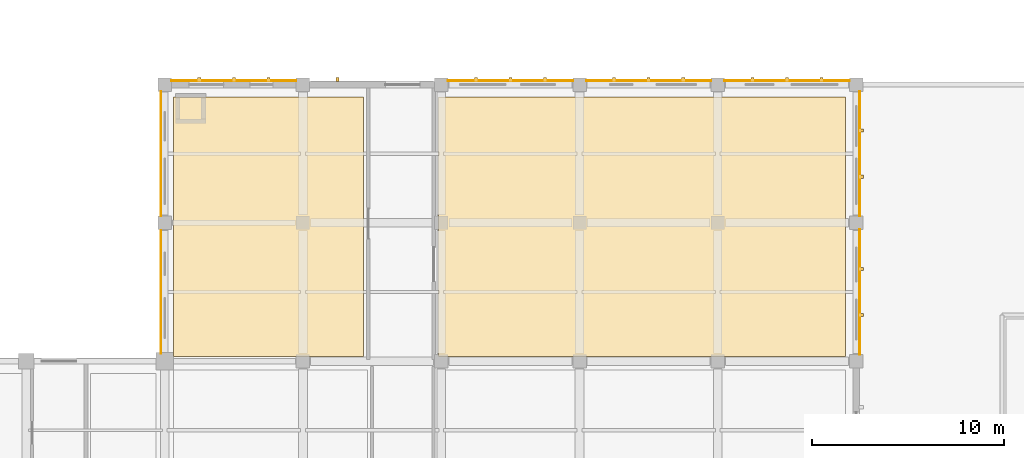
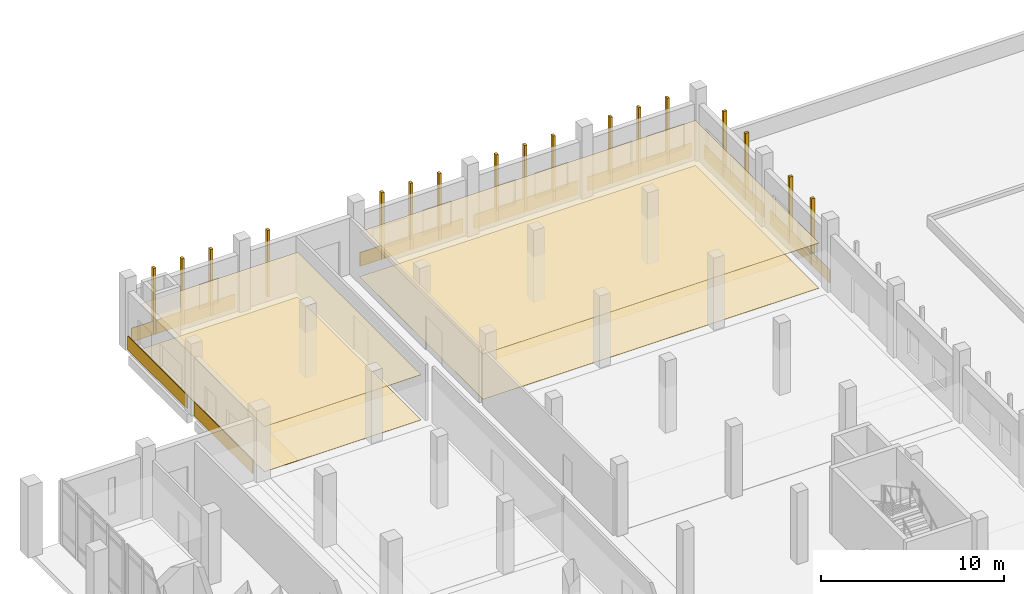
# One storey, part 53 of 59: 17 shading devices, 12 coverings.
"""IFC4 building model written with IfcOpenShell, lengths in metres."""

from ifc_helpers import new_model, si_unit, direction, frame, origin, origin_2d, place, context, subcontext, project, spatial, polyline, rectangle, outline, extrude, material, layer, layer_set, type_object, element, save


model = new_model("IFC4")

# Units and contexts
model_context = context("Model", 3, precision=1e-05, world=origin(), true_north=direction((0.0, 1.0)))
body_context = subcontext(model_context, "Body", "Model", "MODEL_VIEW")
ifc_project = project(units=[si_unit("LENGTHUNIT", "METRE"), si_unit("AREAUNIT", "SQUARE_METRE"), si_unit("VOLUMEUNIT", "CUBIC_METRE"), si_unit("PLANEANGLEUNIT", "RADIAN"), si_unit("MASSUNIT", "GRAM", prefix="KILO")], contexts=[model_context])

# Site, building, storey
site_placement = place(None, origin())
site = spatial("IfcSite", under=ifc_project, at=site_placement, CompositionType="ELEMENT")
building_placement = place(site_placement, origin())
building = spatial("IfcBuilding", under=site, at=building_placement, Name="Valkovuoma Quantum and Materials Research Institute", CompositionType="ELEMENT")
storey_placement = place(building_placement, origin())
storey = spatial("IfcBuildingStorey", under=building, at=storey_placement, Name="L00", CompositionType="ELEMENT", Elevation=0.0)

# Coverings
ifc_material_1 = material(Name="Cleanable acoustic mineral-fibre suspended ceiling", Category="masonry")
ifc_layer_1 = layer(ifc_material_1, 0.02490234375)
ifc_layer_set_1 = layer_set([ifc_layer_1], Name="Cleanable acoustic mineral-fibre suspended ceiling")
covering_type_1 = type_object("IfcCoveringType", Name="Cov-CEIL-01", PredefinedType="CEILING", material=ifc_layer_set_1)
covering_1_placement = place(storey_placement, frame((0.0, 0.0, 3.0)))
element("IfcCovering", 1, at=covering_1_placement, inside=storey, type_object=covering_type_1, Name="L00 acoustic ceiling 0015", PredefinedType="CEILING", context=body_context, shape_type="SweptSolid", body=[
    extrude(outline(polyline([(14.85009765625, 93.85009765625), (24.75, 93.85009765625), (24.75, 107.35009765625), (14.85009765625, 107.35009765625), (14.85009765625, 93.85009765625)])), origin(), (0.0, 0.0, 1.0), 0.02490234375),
])
covering_2_placement = place(storey_placement, frame((0.0, 0.0, 3.0)))
element("IfcCovering", 2, at=covering_2_placement, inside=storey, type_object=covering_type_1, Name="L00 acoustic ceiling 0017", PredefinedType="CEILING", context=body_context, shape_type="SweptSolid", body=[
    extrude(outline(polyline([(28.64990234375, 93.85009765625), (49.85009765625, 93.85009765625), (49.85009765625, 107.35009765625), (28.64990234375, 107.35009765625), (28.64990234375, 93.85009765625)])), origin(), (0.0, 0.0, 1.0), 0.02490234375),
])
ifc_material_2 = material(Name="Seamless dissipative laboratory resin flooring", Category="masonry")
ifc_layer_2 = layer(ifc_material_2, 0.014892578125)
ifc_layer_set_2 = layer_set([ifc_layer_2], Name="Seamless dissipative laboratory resin flooring")
covering_type_2 = type_object("IfcCoveringType", Name="Cov-FLOR-01", PredefinedType="FLOORING", material=ifc_layer_set_2)
covering_3_placement = place(storey_placement, origin())
element("IfcCovering", 3, at=covering_3_placement, inside=storey, type_object=covering_type_2, Name="L00 resin flooring 0015", PredefinedType="FLOORING", context=body_context, shape_type="SweptSolid", body=[
    extrude(outline(polyline([(14.85009765625, 93.85009765625), (24.75, 93.85009765625), (24.75, 107.35009765625), (14.85009765625, 107.35009765625), (14.85009765625, 93.85009765625)])), origin(), (0.0, 0.0, 1.0), 0.014892578125),
])
covering_4_placement = place(storey_placement, origin())
element("IfcCovering", 4, at=covering_4_placement, inside=storey, type_object=covering_type_2, Name="L00 resin flooring 0017", PredefinedType="FLOORING", context=body_context, shape_type="SweptSolid", body=[
    extrude(outline(polyline([(28.64990234375, 93.85009765625), (49.85009765625, 93.85009765625), (49.85009765625, 107.35009765625), (28.64990234375, 107.35009765625), (28.64990234375, 93.85009765625)])), origin(), (0.0, 0.0, 1.0), 0.014892578125),
])
ifc_material_3 = material(Name="Thermally modified Nordic pine timber rainscreen cladding", Category="wood")
ifc_layer_3 = layer(ifc_material_3, 0.044921875)
ifc_layer_set_3 = layer_set([ifc_layer_3], Name="Thermally modified Nordic pine timber rainscreen cladding")
covering_type_3 = type_object("IfcCoveringType", Name="Cov-TIMB-01", PredefinedType="CLADDING", material=ifc_layer_set_3)
for number, where, z_axis, x_axis, name in (
    (5, (18.0, 108.18994140625, 0.02001953125), (0.0, 0.0, 1.0), (1.0, 0.0, 0.0), "L00 Nordic pine spandrel N-001"),
    (6, (32.39990234375, 108.18994140625, 0.02001953125), (0.0, 0.0, 1.0), (1.0, 0.0, 0.0), "L00 Nordic pine spandrel N-002"),
    (7, (39.60009765625, 108.18994140625, 0.02001953125), (0.0, 0.0, 1.0), (1.0, 0.0, 0.0), "L00 Nordic pine spandrel N-003"),
    (8, (46.800048828125, 108.18994140625, 0.02001953125), (0.0, 0.0, 1.0), (1.0, 0.0, 0.0), "L00 Nordic pine spandrel N-004"),
):
    element("IfcCovering", number, at=place(storey_placement, frame(where, z_axis=z_axis, x_axis=x_axis)), inside=storey, type_object=covering_type_3, Name=name, PredefinedType="CLADDING", context=body_context, shape_type="SweptSolid", body=[
        extrude(rectangle(XDim=6.52001953125, YDim=0.044921875, at=origin_2d()), origin(), (0.0, 0.0, 1.0), 0.919921875),
    ])
for number, where, z_axis, x_axis, name in (
    (9, (50.590087890625, 97.199951171875, 0.02001953125), (0.0, 0.0, 1.0), (1.0, 0.0, 0.0), "L00 Nordic pine spandrel E-008"),
    (10, (50.590087890625, 104.39990234375, 0.02001953125), (0.0, 0.0, 1.0), (1.0, 0.0, 0.0), "L00 Nordic pine spandrel E-009"),
):
    element("IfcCovering", number, at=place(storey_placement, frame(where, z_axis=z_axis, x_axis=x_axis)), inside=storey, type_object=covering_type_3, Name=name, PredefinedType="CLADDING", context=body_context, shape_type="SweptSolid", body=[
        extrude(rectangle(XDim=0.044921875, YDim=6.52001953125, at=origin_2d()), origin(), (0.0, 0.0, 1.0), 0.919921875),
    ])
covering_5_placement = place(storey_placement, frame((14.2099609375, 97.199951171875, 0.02001953125), z_axis=(0.0, 0.0, 1.0), x_axis=(1.0, 0.0, 0.0)))
element("IfcCovering", 11, at=covering_5_placement, inside=storey, type_object=covering_type_3, Name="L00 Nordic pine spandrel W-010", PredefinedType="CLADDING", context=body_context, shape_type="SweptSolid", body=[
    extrude(rectangle(XDim=0.044921875, YDim=6.419921875, at=origin_2d()), origin(), (0.0, 0.0, 1.0), 0.919921875),
])
covering_6_placement = place(storey_placement, frame((14.2099609375, 104.39990234375, 0.02001953125), z_axis=(0.0, 0.0, 1.0), x_axis=(1.0, 0.0, 0.0)))
element("IfcCovering", 12, at=covering_6_placement, inside=storey, type_object=covering_type_3, Name="L00 Nordic pine spandrel W-011", PredefinedType="CLADDING", context=body_context, shape_type="SweptSolid", body=[
    extrude(rectangle(XDim=0.044921875, YDim=6.52001953125, at=origin_2d()), origin(), (0.0, 0.0, 1.0), 0.919921875),
])

# Shading devices
ifc_material_4 = material(Name="Powder-coated white perforated architectural aluminium panel", Category="aluminium")
ifc_layer_4 = layer(ifc_material_4, 0.050048828125)
ifc_layer_set_4 = layer_set([ifc_layer_4], Name="Powder-coated white perforated architectural aluminium panel")
shading_device_type = type_object("IfcShadingDeviceType", Name="Screen-SCR-MID", PredefinedType="JALOUSIE", material=ifc_layer_set_4)
for number, where, z_axis, x_axis, name in (
    (13, (16.199951171875, 108.27001953125, 0.0), (0.0, 0.0, 1.0), (1.0, 0.0, 0.0), "L00 cleanroom facade vertical fin N-0001"),
    (14, (18.0, 108.27001953125, 0.0), (0.0, 0.0, 1.0), (1.0, 0.0, 0.0), "L00 cleanroom facade vertical fin N-0002"),
    (15, (19.800048828125, 108.27001953125, 0.0), (0.0, 0.0, 1.0), (1.0, 0.0, 0.0), "L00 cleanroom facade vertical fin N-0003"),
    (16, (23.39990234375, 108.27001953125, 0.0), (0.0, 0.0, 1.0), (1.0, 0.0, 0.0), "L00 cleanroom facade vertical fin N-0004"),
    (17, (30.60009765625, 108.27001953125, 0.0), (0.0, 0.0, 1.0), (1.0, 0.0, 0.0), "L00 cleanroom facade vertical fin N-0005"),
    (18, (32.39990234375, 108.27001953125, 0.0), (0.0, 0.0, 1.0), (1.0, 0.0, 0.0), "L00 cleanroom facade vertical fin N-0006"),
    (19, (34.199951171875, 108.27001953125, 0.0), (0.0, 0.0, 1.0), (1.0, 0.0, 0.0), "L00 cleanroom facade vertical fin N-0007"),
    (20, (37.800048828125, 108.27001953125, 0.0), (0.0, 0.0, 1.0), (1.0, 0.0, 0.0), "L00 cleanroom facade vertical fin N-0008"),
    (21, (39.60009765625, 108.27001953125, 0.0), (0.0, 0.0, 1.0), (1.0, 0.0, 0.0), "L00 cleanroom facade vertical fin N-0009"),
    (22, (41.39990234375, 108.27001953125, 0.0), (0.0, 0.0, 1.0), (1.0, 0.0, 0.0), "L00 cleanroom facade vertical fin N-0010"),
    (23, (45.0, 108.27001953125, 0.0), (0.0, 0.0, 1.0), (1.0, 0.0, 0.0), "L00 cleanroom facade vertical fin N-0011"),
    (24, (46.800048828125, 108.27001953125, 0.0), (0.0, 0.0, 1.0), (1.0, 0.0, 0.0), "L00 cleanroom facade vertical fin N-0012"),
    (25, (48.60009765625, 108.27001953125, 0.0), (0.0, 0.0, 1.0), (1.0, 0.0, 0.0), "L00 cleanroom facade vertical fin N-0013"),
):
    element("IfcShadingDevice", number, at=place(storey_placement, frame(where, z_axis=z_axis, x_axis=x_axis)), inside=storey, type_object=shading_device_type, Name=name, PredefinedType="JALOUSIE", context=body_context, shape_type="SweptSolid", body=[
        extrude(rectangle(XDim=0.159912109375, YDim=0.219970703125, at=origin_2d()), origin(), (0.0, 0.0, 1.0), 4.449951171875),
    ])
for number, where, z_axis, x_axis, name in (
    (26, (50.669921875, 96.0, 0.0), (0.0, 0.0, 1.0), (1.0, 0.0, 0.0), "L00 cleanroom facade vertical fin E-0022"),
    (27, (50.669921875, 98.39990234375, 0.0), (0.0, 0.0, 1.0), (1.0, 0.0, 0.0), "L00 cleanroom facade vertical fin E-0023"),
    (28, (50.669921875, 103.199951171875, 0.0), (0.0, 0.0, 1.0), (1.0, 0.0, 0.0), "L00 cleanroom facade vertical fin E-0024"),
    (29, (50.669921875, 105.60009765625, 0.0), (0.0, 0.0, 1.0), (1.0, 0.0, 0.0), "L00 cleanroom facade vertical fin E-0025"),
):
    element("IfcShadingDevice", number, at=place(storey_placement, frame(where, z_axis=z_axis, x_axis=x_axis)), inside=storey, type_object=shading_device_type, Name=name, PredefinedType="JALOUSIE", context=body_context, shape_type="SweptSolid", body=[
        extrude(rectangle(XDim=0.219970703125, YDim=0.159912109375, at=origin_2d()), origin(), (0.0, 0.0, 1.0), 4.449951171875),
    ])

save(model, "model.ifc")
